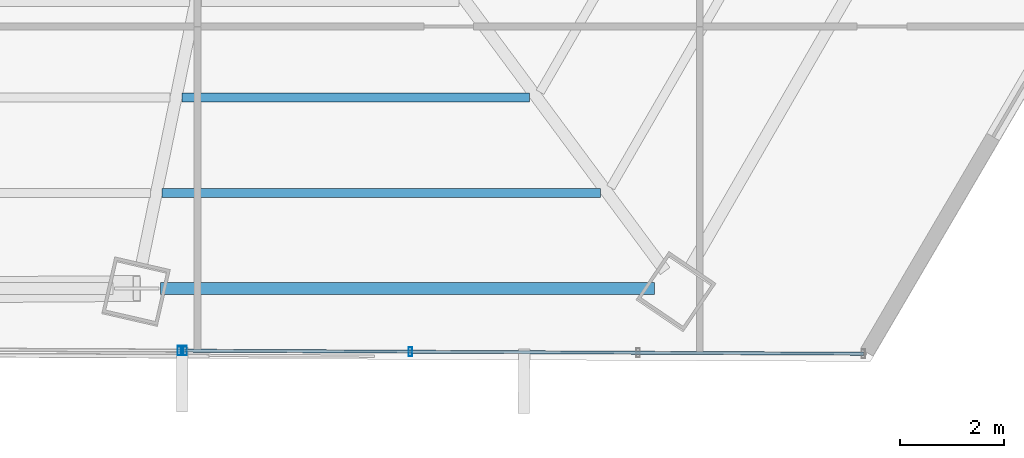
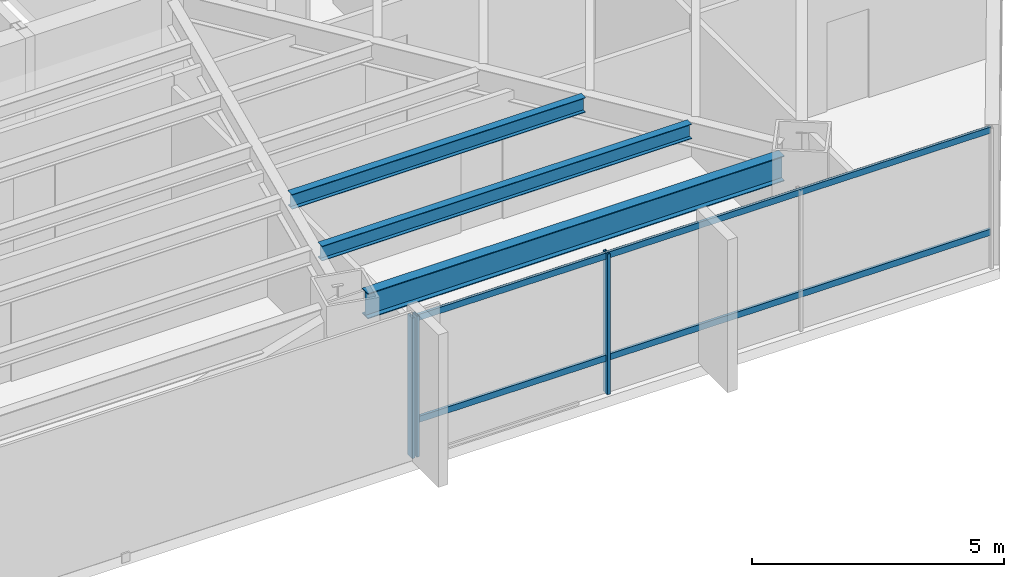
# One storey, part 15 of 37: 5 members, 3 beams, 2 elements without a shape of their own.
"""IFC4 building model written with IfcOpenShell, lengths in metres."""

from ifc_helpers import new_model, si_unit, direction, frame, origin, origin_2d, place, context, subcontext, project, spatial, hollow_rectangle, i_section, extrude, source, transform, mapped, material, material_profile, profile_set, type_object, type_shapes, element, aggregate, save


model = new_model("IFC4")

# Units and contexts
model_context = context("Model", 3, precision=1e-05, world=origin(), true_north=direction((0.0, 1.0)))
body_context = subcontext(model_context, "Body", "Model", "MODEL_VIEW")
ifc_project = project(units=[si_unit("LENGTHUNIT", "METRE"), si_unit("AREAUNIT", "SQUARE_METRE"), si_unit("VOLUMEUNIT", "CUBIC_METRE"), si_unit("PLANEANGLEUNIT", "RADIAN"), si_unit("MASSUNIT", "GRAM", prefix="KILO")], contexts=[model_context])

# Site, building, storey
site_placement = place(None, origin())
site = spatial("IfcSite", under=ifc_project, at=site_placement, CompositionType="ELEMENT")
building_placement = place(site_placement, origin())
building = spatial("IfcBuilding", under=site, at=building_placement, Name="Caelisora Broadcast Tower", CompositionType="ELEMENT")
storey_placement = place(building_placement, frame((0.0, 0.0, 101.75)))
storey = spatial("IfcBuildingStorey", under=building, at=storey_placement, Name="L26", CompositionType="ELEMENT", Elevation=101.75)

# Beams
ifc_material_1 = material(Name="Steel Grade 350 (AS/NZS 3679.1)", Category="steel")
ifc_material_profile_1 = material_profile(ifc_material_1, i_section(OverallWidth=0.22900390625, OverallDepth=0.611572265625, WebThickness=0.011962890625, FlangeThickness=0.01953125, at=origin_2d()), Name="Steel Grade 350 (AS/NZS 3679.1)")
ifc_profile_set_1 = profile_set([ifc_material_profile_1], Name="Steel Grade 350 (AS/NZS 3679.1)")
beam_type_1 = type_object("IfcBeamType", Name="PG03", PredefinedType="BEAM", material=ifc_profile_set_1)
shared_shape_1 = source(origin(), body_context, "Body", "SweptSolid", [
    extrude(i_section(OverallWidth=0.22900390625, OverallDepth=0.611572265625, WebThickness=0.011962890625, FlangeThickness=0.01953125, at=origin_2d()), origin(), (0.0, 0.0, 1.0), 9.533447265625),
])
type_shapes(beam_type_1, [shared_shape_1])
beam_1_placement = place(storey_placement, frame((43.686767578125, 6.341064453125, 3.09423828125), z_axis=(1.0, 0.0, 0.0), x_axis=(0.0, 1.0, 0.0)))
element("IfcBeam", 1, at=beam_1_placement, inside=storey, type_object=beam_type_1, Name="L26 beam PG03", PredefinedType="BEAM", context=body_context, shape_type="MappedRepresentation", body=[
    mapped(shared_shape_1, transform((0.0, 0.0, 0.0), scale=1.0)),
])
ifc_material_profile_2 = material_profile(ifc_material_1, i_section(OverallWidth=0.172119140625, OverallDepth=0.358642578125, WebThickness=0.008056640625, FlangeThickness=0.012939453125, at=origin_2d()), Name="Steel Grade 350 (AS/NZS 3679.1)")
ifc_profile_set_2 = profile_set([ifc_material_profile_2], Name="Steel Grade 350 (AS/NZS 3679.1)")
beam_type_2 = type_object("IfcBeamType", Name="SB02", PredefinedType="JOIST", material=ifc_profile_set_2)
shared_shape_2 = source(origin(), body_context, "Body", "SweptSolid", [
    extrude(i_section(OverallWidth=0.172119140625, OverallDepth=0.358642578125, WebThickness=0.008056640625, FlangeThickness=0.012939453125, at=origin_2d()), origin(), (0.0, 0.0, 1.0), 6.716796875),
])
beam_2_placement = place(storey_placement, frame((44.097900390625, 10.02734375, 3.220703125), z_axis=(1.0, 0.0, 0.0), x_axis=(0.0, 1.0, 0.0)))
element("IfcBeam", 2, at=beam_2_placement, inside=storey, type_object=beam_type_2, Name="L26 beam SB02", PredefinedType="JOIST", context=body_context, shape_type="MappedRepresentation", body=[
    mapped(shared_shape_2, transform((0.0, 0.0, 0.0), scale=1.0)),
])
shared_shape_3 = source(origin(), body_context, "Body", "SweptSolid", [
    extrude(i_section(OverallWidth=0.172119140625, OverallDepth=0.358642578125, WebThickness=0.008056640625, FlangeThickness=0.012939453125, at=origin_2d()), origin(), (0.0, 0.0, 1.0), 8.458984375),
])
type_shapes(beam_type_2, [shared_shape_2, shared_shape_3])
beam_3_placement = place(storey_placement, frame((43.718994140625, 8.18408203125, 3.220703125), z_axis=(1.0, 0.0, 0.0), x_axis=(0.0, 1.0, 0.0)))
element("IfcBeam", 3, at=beam_3_placement, inside=storey, type_object=beam_type_2, Name="L26 beam SB02", PredefinedType="JOIST", context=body_context, shape_type="MappedRepresentation", body=[
    mapped(shared_shape_3, transform((0.0, 0.0, 0.0), scale=1.0)),
])

# Curtain wall, members
ifc_material_2 = material(Name="Unitised Aluminium and Low-E Glass Curtain Wall", Category="glass")
curtain_wall_type_1 = type_object("IfcCurtainWallType", Name="CW-Z2", PredefinedType="NOTDEFINED", material=ifc_material_2)
curtain_wall_1_placement = place(storey_placement, origin())
curtain_wall_1 = element("IfcCurtainWall", 4, at=curtain_wall_1_placement, inside=storey, type_object=curtain_wall_type_1, Name="L26 curtain wall CW-Z2", PredefinedType="NOTDEFINED")
ifc_material_3 = material(Name="Aluminium 6063-T6 Anodised Terracotta Bronze", Category="aluminium")
ifc_material_profile_3 = material_profile(ifc_material_3, hollow_rectangle(XDim=0.06494140625, YDim=0.179931640625, WallThickness=0.00341796875, at=origin_2d()), Name="Aluminium 6063-T6 Anodised Terracotta Bronze")
ifc_profile_set_3 = profile_set([ifc_material_profile_3], Name="Aluminium 6063-T6 Anodised Terracotta Bronze")
member_type_1 = type_object("IfcMemberType", Name="CWM-02", PredefinedType="MULLION", material=ifc_profile_set_3)
shared_shape_4 = source(origin(), body_context, "Body", "SweptSolid", [
    extrude(hollow_rectangle(XDim=0.06494140625, YDim=0.179931640625, WallThickness=0.00341796875, at=origin_2d()), origin(), (0.0, 0.0, 1.0), 3.39990234375),
])
type_shapes(member_type_1, [shared_shape_4])
member_1_placement = place(storey_placement, frame((48.509521484375, 5.121337890625, 0.0), z_axis=(0.0, 0.0, 1.0), x_axis=(1.0, 0.0, 0.0)))
member_1 = element("IfcMember", 5, at=member_1_placement, type_object=member_type_1, Name="L26-CW-B05 mullion #2", PredefinedType="MULLION", context=body_context, shape_type="MappedRepresentation", body=[
    mapped(shared_shape_4, transform((0.0, 0.0, 0.0), scale=1.0)),
])
member_2_placement = place(storey_placement, frame((44.16015625, 5.14111328125, 0.0), z_axis=(0.0, 0.0, 1.0), x_axis=(1.0, 0.0, 0.0)))
member_2 = element("IfcMember", 6, at=member_2_placement, type_object=member_type_1, Name="L26-CW-B05 mullion #3", PredefinedType="MULLION", context=body_context, shape_type="MappedRepresentation", body=[
    mapped(shared_shape_4, transform((0.0, 0.0, 0.0), scale=1.0)),
])

# Curtain wall, member
ifc_material_4 = material(Name="Unitised Aluminium Insulated Shadow-Box Spandrel Curtain Wall", Category="aluminium")
curtain_wall_type_2 = type_object("IfcCurtainWallType", Name="CW-SP1", PredefinedType="NOTDEFINED", material=ifc_material_4)
curtain_wall_2_placement = place(storey_placement, origin())
curtain_wall_2 = element("IfcCurtainWall", 7, at=curtain_wall_2_placement, inside=storey, type_object=curtain_wall_type_2, Name="L26 curtain wall CW-SP1", PredefinedType="NOTDEFINED")
member_3_placement = place(storey_placement, frame((44.050048828125, 5.1416015625, 0.0), z_axis=(0.0, 0.0, 1.0), x_axis=(1.0, 0.0, 0.0)))
member_3 = element("IfcMember", 8, at=member_3_placement, type_object=member_type_1, Name="L26-CW-B06 mullion #0", PredefinedType="MULLION", context=body_context, shape_type="MappedRepresentation", body=[
    mapped(shared_shape_4, transform((0.0, 0.0, 0.0), scale=1.0)),
])
aggregate(curtain_wall_2, [member_3])

# Member
ifc_material_profile_4 = material_profile(ifc_material_3, hollow_rectangle(XDim=0.06005859375, YDim=0.14990234375, WallThickness=0.00341796875, at=origin_2d()), Name="Aluminium 6063-T6 Anodised Terracotta Bronze")
ifc_profile_set_4 = profile_set([ifc_material_profile_4], Name="Aluminium 6063-T6 Anodised Terracotta Bronze")
member_type_2 = type_object("IfcMemberType", Name="CWT-02", PredefinedType="USERDEFINED", material=ifc_profile_set_4)
shared_shape_5 = source(origin(), body_context, "Body", "SweptSolid", [
    extrude(hollow_rectangle(XDim=0.06005859375, YDim=0.14990234375, WallThickness=0.00341796875, at=origin_2d()), origin(), (0.0, 0.0, 1.0), 13.09814453125),
])
type_shapes(member_type_2, [shared_shape_5])
member_4_placement = place(storey_placement, frame((57.258056640625, 5.081298828125, 0.85009765625), z_axis=(-0.999989572694, 0.004566673103, 0.0), x_axis=(-0.004566673103, -0.999989572694, 0.0)))
member_4 = element("IfcMember", 9, at=member_4_placement, type_object=member_type_2, Name="L26-CW-B05 transom #1", ObjectType="TRANSOM", PredefinedType="USERDEFINED", context=body_context, shape_type="MappedRepresentation", body=[
    mapped(shared_shape_5, transform((0.0, 0.0, 0.0), scale=1.0)),
])

member_5_placement = place(storey_placement, frame((57.258056640625, 5.081298828125, 3.320068359375), z_axis=(-0.999989572694, 0.004566673103, 0.0), x_axis=(-0.004566673103, -0.999989572694, 0.0)))
member_5 = element("IfcMember", 10, at=member_5_placement, type_object=member_type_2, Name="L26-CW-B05 transom #2", ObjectType="TRANSOM", PredefinedType="USERDEFINED", context=body_context, shape_type="MappedRepresentation", body=[
    mapped(shared_shape_5, transform((0.0, 0.0, 0.0), scale=1.0)),
])

aggregate(curtain_wall_1, [member_1, member_2, member_4, member_5])

save(model, "model.ifc")
